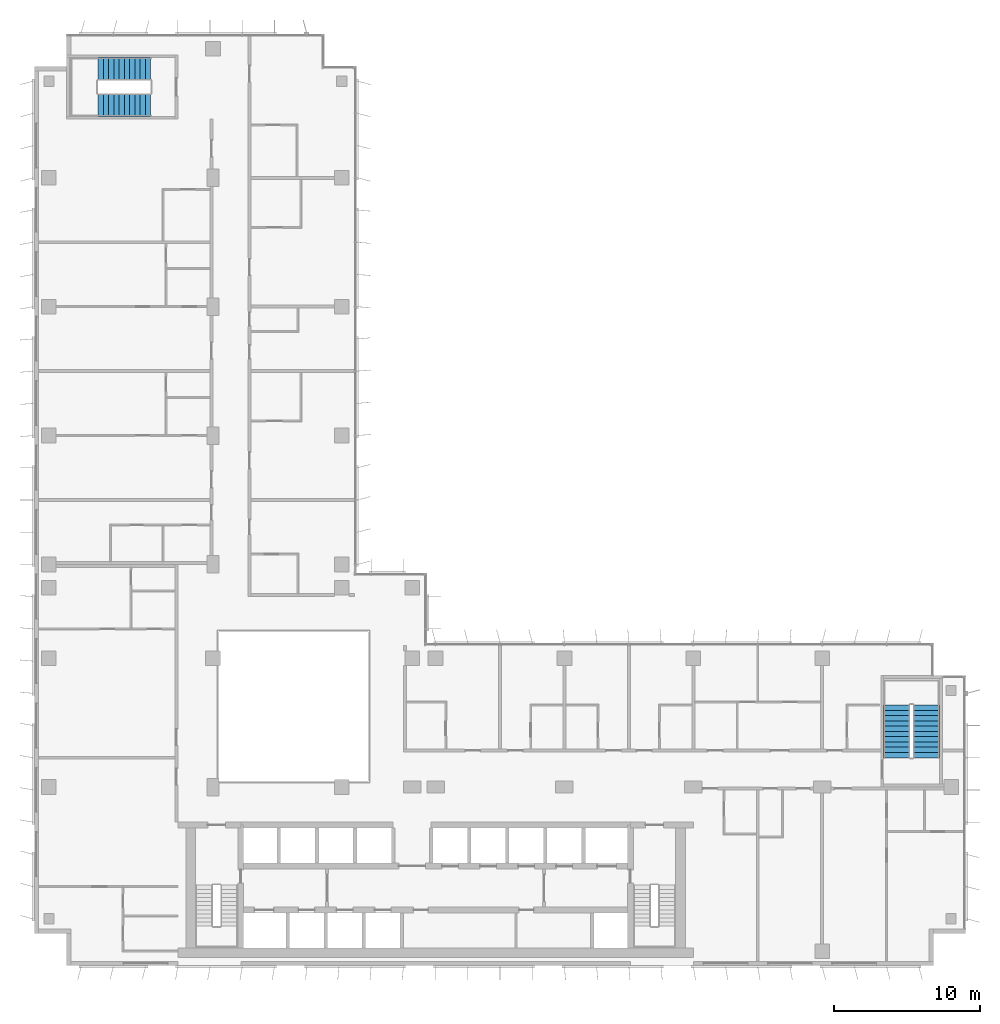
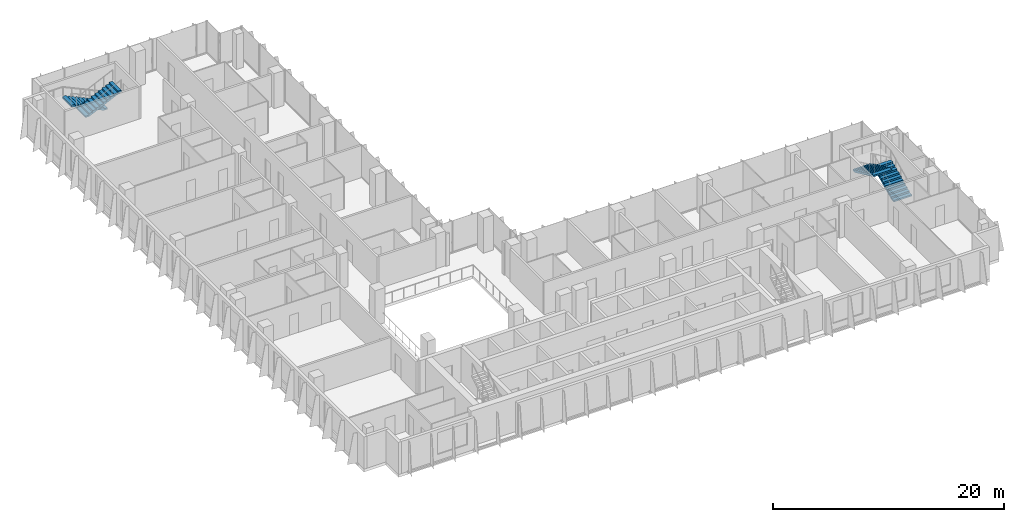
# One storey, part 18 of 21: 4 stair flights, 2 elements without a shape of their own.
"""IFC4 building model written with IfcOpenShell, lengths in metres."""

from ifc_helpers import new_model, si_unit, direction, frame, origin, place, context, subcontext, project, spatial, polyline, outline, extrude, material, type_object, element, aggregate, save


model = new_model("IFC4")

# Units and contexts
model_context = context("Model", 3, precision=1e-05, world=origin(), true_north=direction((0.0, 1.0)))
body_context = subcontext(model_context, "Body", "Model", "MODEL_VIEW")
ifc_project = project(units=[si_unit("LENGTHUNIT", "METRE"), si_unit("AREAUNIT", "SQUARE_METRE"), si_unit("VOLUMEUNIT", "CUBIC_METRE"), si_unit("PLANEANGLEUNIT", "RADIAN"), si_unit("MASSUNIT", "GRAM", prefix="KILO")], contexts=[model_context])

# Site, building, storey
site_placement = place(None, origin())
site = spatial("IfcSite", under=ifc_project, at=site_placement, CompositionType="ELEMENT")
building_placement = place(site_placement, origin())
building = spatial("IfcBuilding", under=site, at=building_placement, Name="Kemantara Hotel Tower", CompositionType="ELEMENT")
storey_placement = place(building_placement, frame((0.0, 0.0, 208.0)))
storey = spatial("IfcBuildingStorey", under=building, at=storey_placement, Name="L51", CompositionType="ELEMENT", Elevation=208.0)

# Stair, stair flights
ifc_material = material(Name="Concrete fc 40 MPa", Category="concrete")
stair_type_1 = type_object("IfcStairType", Name="Stair 1550 wide 22 risers of 168 x 360 mm", PredefinedType="HALF_TURN_STAIR", material=ifc_material)
stair_1_placement = place(storey_placement, origin())
stair_1 = element("IfcStair", 1, at=stair_1_placement, inside=storey, type_object=stair_type_1, Name="L51 Exit stair ST4", PredefinedType="HALF_TURN_STAIR")
stair_flight_type_1 = type_object("IfcStairFlightType", Name="Stair flight 1550 wide 168 x 360 mm", PredefinedType="STRAIGHT", material=ifc_material)
stair_flight_1_placement = place(storey_placement, frame((7.949951171875, 61.22509765625, 0.0), z_axis=(0.0, 0.0, 1.0), x_axis=(-1.0, 0.0, 0.0)))
stair_flight_1 = element("IfcStairFlight", 2, at=stair_flight_1_placement, type_object=stair_flight_type_1, Name="ST4 flight 1", NumberOfRisers=11, NumberOfTreads=10, PredefinedType="STRAIGHT", RiserHeight=0.168181818, TreadLength=0.36, context=body_context, shape_type="SweptSolid", body=[
    extrude(outline(polyline([(0.0, 0.0), (0.0, 0.168212890625), (0.360107421875, 0.168212890625), (0.360107421875, 0.33642578125), (0.719970703125, 0.33642578125), (0.719970703125, 0.504638671875), (1.080078125, 0.504638671875), (1.080078125, 0.672607421875), (1.43994140625, 0.672607421875), (1.43994140625, 0.8408203125), (1.800048828125, 0.8408203125), (1.800048828125, 1.009033203125), (2.159912109375, 1.009033203125), (2.159912109375, 1.17724609375), (2.52001953125, 1.17724609375), (2.52001953125, 1.345458984375), (2.8798828125, 1.345458984375), (2.8798828125, 1.513671875), (3.239990234375, 1.513671875), (3.239990234375, 1.681884765625), (3.60009765625, 1.681884765625), (3.60009765625, 1.85009765625), (3.60009765625, 1.516357421875), (0.354248046875, 0.0), (0.0, 0.0)])), frame((0.0, 0.77490234375, 0.0), z_axis=(0.0, -1.0, 0.0), x_axis=(1.0, 0.0, 0.0)), (0.0, 0.0, 1.0), 1.550048828125),
])
stair_flight_2_placement = place(storey_placement, frame((4.35009765625, 58.77490234375, 1.85009765625), z_axis=(0.0, 0.0, 1.0), x_axis=(1.0, 0.0, 0.0)))
stair_flight_2 = element("IfcStairFlight", 3, at=stair_flight_2_placement, type_object=stair_flight_type_1, Name="ST4 flight 2", NumberOfRisers=11, NumberOfTreads=10, PredefinedType="STRAIGHT", RiserHeight=0.168181818, TreadLength=0.36, context=body_context, shape_type="SweptSolid", body=[
    extrude(outline(polyline([(0.0, 0.0), (0.0, 0.168212890625), (0.360107421875, 0.168212890625), (0.360107421875, 0.33642578125), (0.719970703125, 0.33642578125), (0.719970703125, 0.504638671875), (1.080078125, 0.504638671875), (1.080078125, 0.672607421875), (1.43994140625, 0.672607421875), (1.43994140625, 0.8408203125), (1.800048828125, 0.8408203125), (1.800048828125, 1.009033203125), (2.159912109375, 1.009033203125), (2.159912109375, 1.17724609375), (2.52001953125, 1.17724609375), (2.52001953125, 1.345458984375), (2.8798828125, 1.345458984375), (2.8798828125, 1.513671875), (3.239990234375, 1.513671875), (3.239990234375, 1.681884765625), (3.60009765625, 1.681884765625), (3.60009765625, 1.85009765625), (3.60009765625, 1.516357421875), (0.354248046875, 0.0), (0.0, 0.0)])), frame((0.0, 0.77490234375, 0.0), z_axis=(0.0, -1.0, 0.0), x_axis=(1.0, 0.0, 0.0)), (0.0, 0.0, 1.0), 1.550048828125),
])
aggregate(stair_1, [stair_flight_1, stair_flight_2])

stair_type_2 = type_object("IfcStairType", Name="Stair 1800 wide 22 risers of 168 x 360 mm", PredefinedType="HALF_TURN_STAIR", material=ifc_material)
stair_2_placement = place(storey_placement, origin())
stair_2 = element("IfcStair", 4, at=stair_2_placement, inside=storey, type_object=stair_type_2, Name="L51 Exit stair ST3", PredefinedType="HALF_TURN_STAIR")
stair_flight_type_2 = type_object("IfcStairFlightType", Name="Stair flight 1800 wide 168 x 360 mm", PredefinedType="STRAIGHT", material=ifc_material)
stair_flight_3_placement = place(storey_placement, frame((60.89990234375, 14.199951171875, 0.0), z_axis=(0.0, 0.0, 1.0), x_axis=(0.0, 1.0, 0.0)))
stair_flight_3 = element("IfcStairFlight", 5, at=stair_flight_3_placement, type_object=stair_flight_type_2, Name="ST3 flight 1", NumberOfRisers=11, NumberOfTreads=10, PredefinedType="STRAIGHT", RiserHeight=0.168181818, TreadLength=0.36, context=body_context, shape_type="SweptSolid", body=[
    extrude(outline(polyline([(0.0, 0.0), (0.0, 0.168212890625), (0.360107421875, 0.168212890625), (0.360107421875, 0.33642578125), (0.719970703125, 0.33642578125), (0.719970703125, 0.504638671875), (1.080078125, 0.504638671875), (1.080078125, 0.672607421875), (1.43994140625, 0.672607421875), (1.43994140625, 0.8408203125), (1.800048828125, 0.8408203125), (1.800048828125, 1.009033203125), (2.159912109375, 1.009033203125), (2.159912109375, 1.17724609375), (2.52001953125, 1.17724609375), (2.52001953125, 1.345458984375), (2.8798828125, 1.345458984375), (2.8798828125, 1.513671875), (3.239990234375, 1.513671875), (3.239990234375, 1.681884765625), (3.60009765625, 1.681884765625), (3.60009765625, 1.85009765625), (3.60009765625, 1.516357421875), (0.354248046875, 0.0), (0.0, 0.0)])), frame((0.0, 0.89990234375, 0.0), z_axis=(0.0, -1.0, 0.0), x_axis=(1.0, 0.0, 0.0)), (0.0, 0.0, 1.0), 1.800048828125),
])
stair_flight_4_placement = place(storey_placement, frame((58.89990234375, 17.800048828125, 1.85009765625), z_axis=(0.0, 0.0, 1.0), x_axis=(0.0, -1.0, 0.0)))
stair_flight_4 = element("IfcStairFlight", 6, at=stair_flight_4_placement, type_object=stair_flight_type_2, Name="ST3 flight 2", NumberOfRisers=11, NumberOfTreads=10, PredefinedType="STRAIGHT", RiserHeight=0.168181818, TreadLength=0.36, context=body_context, shape_type="SweptSolid", body=[
    extrude(outline(polyline([(0.0, 0.0), (0.0, 0.168212890625), (0.360107421875, 0.168212890625), (0.360107421875, 0.33642578125), (0.719970703125, 0.33642578125), (0.719970703125, 0.504638671875), (1.080078125, 0.504638671875), (1.080078125, 0.672607421875), (1.43994140625, 0.672607421875), (1.43994140625, 0.8408203125), (1.800048828125, 0.8408203125), (1.800048828125, 1.009033203125), (2.159912109375, 1.009033203125), (2.159912109375, 1.17724609375), (2.52001953125, 1.17724609375), (2.52001953125, 1.345458984375), (2.8798828125, 1.345458984375), (2.8798828125, 1.513671875), (3.239990234375, 1.513671875), (3.239990234375, 1.681884765625), (3.60009765625, 1.681884765625), (3.60009765625, 1.85009765625), (3.60009765625, 1.516357421875), (0.354248046875, 0.0), (0.0, 0.0)])), frame((0.0, 0.89990234375, 0.0), z_axis=(0.0, -1.0, 0.0), x_axis=(1.0, 0.0, 0.0)), (0.0, 0.0, 1.0), 1.800048828125),
])
aggregate(stair_2, [stair_flight_3, stair_flight_4])

save(model, "model.ifc")
